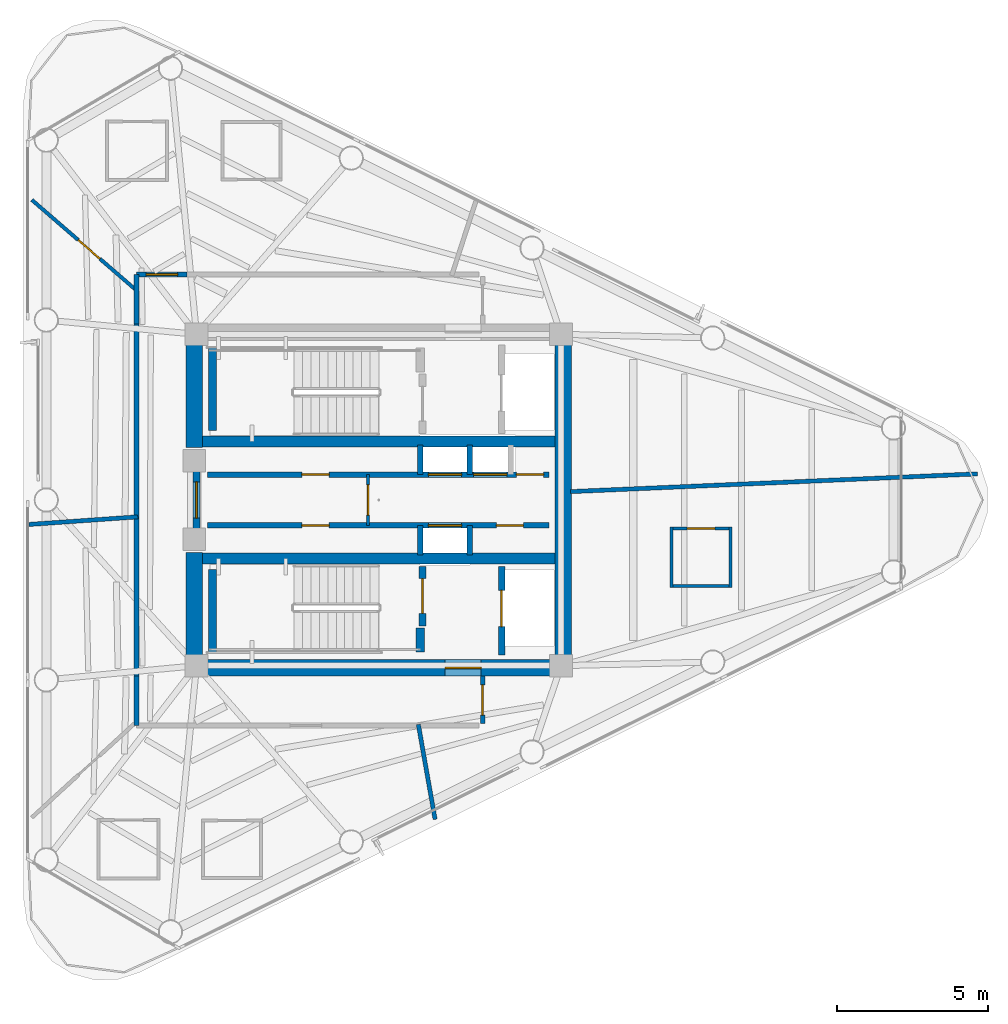
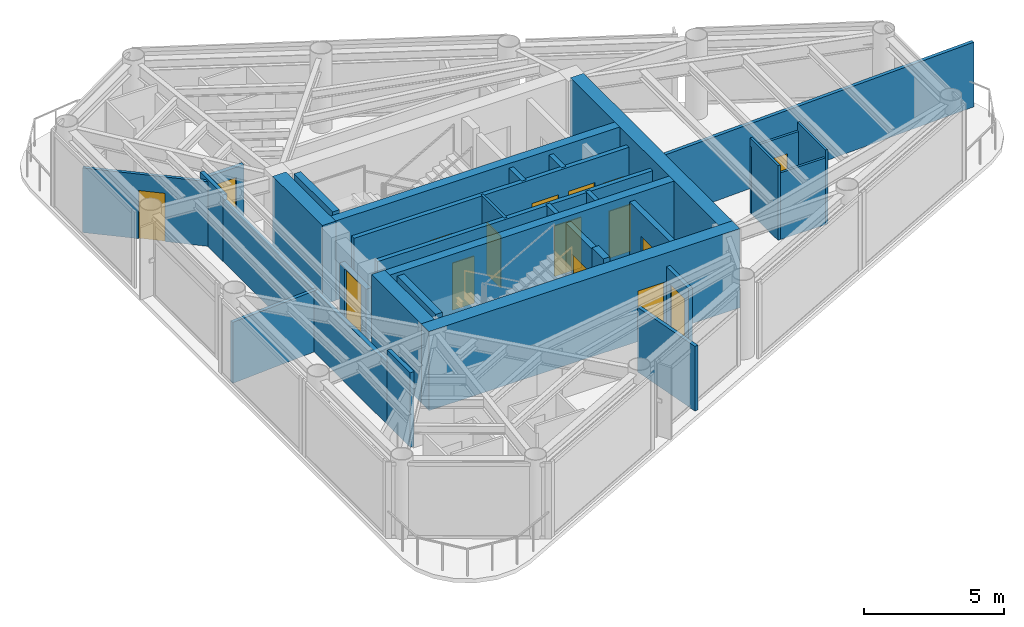
# One storey, part 5 of 10: 32 walls, 16 doors, 16 openings.
"""IFC4 building model written with IfcOpenShell, lengths in metres."""

from ifc_helpers import new_model, si_unit, direction, frame, frame_2d, origin, place, context, subcontext, project, spatial, rectangle, extrude, material, layer, layer_set, type_object, element, fill, save


model = new_model("IFC4")

# Units and contexts
model_context = context("Model", 3, precision=1e-05, world=origin(), true_north=direction((0.0, 1.0)))
body_context = subcontext(model_context, "Body", "Model", "MODEL_VIEW")
ifc_project = project(units=[si_unit("LENGTHUNIT", "METRE"), si_unit("AREAUNIT", "SQUARE_METRE"), si_unit("VOLUMEUNIT", "CUBIC_METRE"), si_unit("PLANEANGLEUNIT", "RADIAN"), si_unit("MASSUNIT", "GRAM", prefix="KILO")], contexts=[model_context])

# Site, building, storey
site_placement = place(None, origin())
site = spatial("IfcSite", under=ifc_project, at=site_placement, CompositionType="ELEMENT")
building_placement = place(site_placement, origin())
building = spatial("IfcBuilding", under=site, at=building_placement, Name="Yunling Apex Tower", CompositionType="ELEMENT")
storey_placement = place(building_placement, frame((0.0, 0.0, 303.64990234375)))
storey = spatial("IfcBuildingStorey", under=building, at=storey_placement, Name="L74", CompositionType="ELEMENT", Elevation=303.64990234375)

# Wall, opening, door
ifc_material_1 = material(Name="Concrete C40", Category="concrete")
ifc_layer_1 = layer(ifc_material_1, 0.550048828125)
ifc_layer_set_1 = layer_set([ifc_layer_1], Name="Concrete C40")
wall_type_1 = type_object("IfcWallType", Name="WL-COR-3", PredefinedType="SHEAR", material=ifc_layer_set_1)
wall_1_placement = place(storey_placement, frame((-6.39990234375, -5.574951171875, 0.0), z_axis=(0.0, 0.0, 1.0), x_axis=(1.0, 0.0, 0.0)))
wall_1 = element("IfcWall", 1, at=wall_1_placement, inside=storey, type_object=wall_type_1, Name="L74 South Core Shear Wall", PredefinedType="SHEAR", context=body_context, shape_type="SweptSolid", body=[
    extrude(rectangle(XDim=12.7998046875, YDim=0.550048828125, at=frame_2d((6.39990234375, 0.0))), origin(), (0.0, 0.0, 1.0), 3.4501953125),
])
opening_1_placement = place(wall_1_placement, frame((8.60009765625, 0.0, 0.0)))
opening_1 = element("IfcOpeningElement", 2, at=opening_1_placement, cuts=wall_1, Name="Opening DR-FFL-1", PredefinedType="OPENING", context=body_context, shape_type="SweptSolid", body=[
    extrude(rectangle(XDim=1.199951171875, YDim=2.199951171875, at=frame_2d((0.60009765625, 1.10009765625))), frame((0.0, 0.28515625, 0.0), z_axis=(0.0, -1.0, 0.0), x_axis=(1.0, 0.0, 0.0)), (0.0, 0.0, 1.0), 0.570068359375),
])
ifc_material_2 = material(Name="Steel Q355B", Category="steel")
door_type_1 = type_object("IfcDoorType", Name="DR-FFL-1", OperationType="NOTDEFINED", PredefinedType="DOOR", material=ifc_material_2)
door_1_placement = place(opening_1_placement, origin())
door_1 = element("IfcDoor", 3, at=door_1_placement, inside=storey, type_object=door_type_1, Name="L74 South Firefighting Lobby Door", OperationType="SINGLE_SWING_RIGHT", OverallHeight=2.199951171875, OverallWidth=1.199951171875, PredefinedType="DOOR", context=body_context, shape_type="SweptSolid", body=[
    extrude(rectangle(XDim=1.199951171875, YDim=2.199951171875, at=frame_2d((0.60009765625, 1.10009765625))), frame((0.0, 0.02490234375, 0.0), z_axis=(0.0, -1.0, 0.0), x_axis=(1.0, 0.0, 0.0)), (0.0, 0.0, 1.0), 0.050048828125),
])
fill(opening_1, door_1)

# Walls
wall_2_placement = place(storey_placement, frame((6.125, -5.300048828125, 0.0), z_axis=(0.0, 0.0, 1.0), x_axis=(0.0, 1.0, 0.0)))
element("IfcWall", 4, at=wall_2_placement, inside=storey, type_object=wall_type_1, Name="L74 East Core Shear Wall", PredefinedType="SHEAR", context=body_context, shape_type="SweptSolid", body=[
    extrude(rectangle(XDim=10.60009765625, YDim=0.550048828125, at=frame_2d((5.300048828125, 0.0))), origin(), (0.0, 0.0, 1.0), 3.4501953125),
])
for number, where, z_axis, x_axis, name in (
    (5, (-6.125, -5.300048828125, 0.0), (0.0, 0.0, 1.0), (0.0, 1.0, 0.0), "L74 West-South Core Shear Wall"),
    (6, (-6.125, 1.75, 0.0), (0.0, 0.0, 1.0), (0.0, 1.0, 0.0), "L74 West-North Core Shear Wall"),
):
    element("IfcWall", number, at=place(storey_placement, frame(where, z_axis=z_axis, x_axis=x_axis)), inside=storey, type_object=wall_type_1, Name=name, PredefinedType="SHEAR", context=body_context, shape_type="SweptSolid", body=[
        extrude(rectangle(XDim=3.550048828125, YDim=0.550048828125, at=frame_2d((1.77490234375, 0.0))), origin(), (0.0, 0.0, 1.0), 3.4501953125),
    ])
ifc_layer_2 = layer(ifc_material_1, 0.360107421875)
ifc_layer_set_2 = layer_set([ifc_layer_2], Name="Concrete C40")
wall_type_2 = type_object("IfcWallType", Name="WL-COR-4", PredefinedType="SHEAR", material=ifc_layer_set_2)
for number, where, z_axis, x_axis, name in (
    (7, (-5.85009765625, 1.93994140625, 0.0), (0.0, 0.0, 1.0), (1.0, 0.0, 0.0), "L74 North Internal Core Shear Wall"),
    (8, (-5.85009765625, -1.93994140625, 0.0), (0.0, 0.0, 1.0), (1.0, 0.0, 0.0), "L74 South Internal Core Shear Wall"),
):
    element("IfcWall", number, at=place(storey_placement, frame(where, z_axis=z_axis, x_axis=x_axis)), inside=storey, type_object=wall_type_2, Name=name, PredefinedType="SHEAR", context=body_context, shape_type="SweptSolid", body=[
        extrude(rectangle(XDim=11.7001953125, YDim=0.360107421875, at=frame_2d((5.85009765625, 0.0))), origin(), (0.0, 0.0, 1.0), 3.4501953125),
    ])
ifc_layer_3 = layer(ifc_material_1, 0.280029296875)
ifc_layer_set_3 = layer_set([ifc_layer_3], Name="Concrete C40")
wall_type_3 = type_object("IfcWallType", Name="WL-COR-8", PredefinedType="SHEAR", material=ifc_layer_set_3)
for number, where, z_axis, x_axis, name in (
    (9, (-5.52001953125, 2.300048828125, 0.0), (0.0, 0.0, 1.0), (0.0, 1.0, 0.0), "L74 ST-1 West Landing Bearing Wall"),
    (10, (-5.52001953125, -5.050048828125, 0.0), (0.0, 0.0, 1.0), (0.0, 1.0, 0.0), "L74 ST-2 West Landing Bearing Wall"),
):
    element("IfcWall", number, at=place(storey_placement, frame(where, z_axis=z_axis, x_axis=x_axis)), inside=storey, type_object=wall_type_3, Name=name, PredefinedType="SHEAR", context=body_context, shape_type="SweptSolid", body=[
        extrude(rectangle(XDim=2.75, YDim=0.280029296875, at=frame_2d((1.375, 0.0))), origin(), (0.0, 0.0, 1.0), 3.4501953125),
    ])
wall_3_placement = place(storey_placement, frame((1.3798828125, -5.050048828125, 0.0), z_axis=(0.0, 0.0, 1.0), x_axis=(0.0, 1.0, 0.0)))
element("IfcWall", 11, at=wall_3_placement, inside=storey, type_object=wall_type_3, Name="L74 ST-2 East Landing Bearing Pier", PredefinedType="SHEAR", context=body_context, shape_type="SweptSolid", body=[
    extrude(rectangle(XDim=0.800048828125, YDim=0.280029296875, at=frame_2d((0.39990234375, 0.0))), origin(), (0.0, 0.0, 1.0), 3.4501953125),
])
ifc_material_3 = material(Name="Gypsum board acoustic partition")
ifc_layer_4 = layer(ifc_material_3, 0.159912109375)
ifc_layer_set_4 = layer_set([ifc_layer_4], Name="Gypsum board acoustic partition")
wall_type_4 = type_object("IfcWallType", Name="WL-PRT-1", PredefinedType="PARTITIONING", material=ifc_layer_set_4)
wall_4_placement = place(storey_placement, frame((-8.0400390625, 5.85009765625, 0.0), z_axis=(0.0, 0.0, 1.0), x_axis=(0.0, 1.0, 0.0)))
element("IfcWall", 12, at=wall_4_placement, inside=storey, type_object=wall_type_4, Name="WL-CORR-L74-01", PredefinedType="PARTITIONING", context=body_context, shape_type="SweptSolid", body=[
    extrude(rectangle(XDim=1.639892578125, YDim=0.159912109375, at=frame_2d((0.81982421875, 0.0))), origin(), (0.0, 0.0, 1.0), 2.905029296875),
])

# Wall, opening, door
wall_5_placement = place(storey_placement, frame((-8.0400390625, 7.489990234375, 0.0), z_axis=(0.0, 0.0, 1.0), x_axis=(1.0, 0.0, 0.0)))
wall_5 = element("IfcWall", 13, at=wall_5_placement, inside=storey, type_object=wall_type_4, Name="WL-CORR-L74-02", PredefinedType="PARTITIONING", context=body_context, shape_type="SweptSolid", body=[
    extrude(rectangle(XDim=1.679931640625, YDim=0.159912109375, at=frame_2d((0.83984375, 0.0))), origin(), (0.0, 0.0, 1.0), 2.655029296875),
])
opening_2_placement = place(wall_5_placement, frame((0.31494140625, 0.0, 0.0)))
opening_2 = element("IfcOpeningElement", 14, at=opening_2_placement, cuts=wall_5, Name="Opening DR-FL-1", PredefinedType="OPENING", context=body_context, shape_type="SweptSolid", body=[
    extrude(rectangle(XDim=1.050048828125, YDim=2.199951171875, at=frame_2d((0.52490234375, 1.10009765625))), frame((0.0, 0.08984375, 0.0), z_axis=(0.0, -1.0, 0.0), x_axis=(1.0, 0.0, 0.0)), (0.0, 0.0, 1.0), 0.179931640625),
])
ifc_material_4 = material(Name="Timber fire-rated leaf", Category="wood")
door_type_2 = type_object("IfcDoorType", Name="DR-FL-1", OperationType="NOTDEFINED", PredefinedType="DOOR", material=ifc_material_4)
door_2_placement = place(opening_2_placement, origin())
door_2 = element("IfcDoor", 15, at=door_2_placement, inside=storey, type_object=door_type_2, Name="L74 Unit 4 Entrance Door", OperationType="SINGLE_SWING_LEFT", OverallHeight=2.199951171875, OverallWidth=1.050048828125, PredefinedType="DOOR", context=body_context, shape_type="SweptSolid", body=[
    extrude(rectangle(XDim=1.050048828125, YDim=2.199951171875, at=frame_2d((0.52490234375, 1.10009765625))), frame((0.0, 0.02490234375, 0.0), z_axis=(0.0, -1.0, 0.0), x_axis=(1.0, 0.0, 0.0)), (0.0, 0.0, 1.0), 0.050048828125),
])
fill(opening_2, door_2)

wall_6_placement = place(storey_placement, frame((3.449951171875, -5.85009765625, 0.0), z_axis=(0.0, 0.0, 1.0), x_axis=(0.0, -1.0, 0.0)))
wall_6 = element("IfcWall", 16, at=wall_6_placement, inside=storey, type_object=wall_type_4, Name="WL-CORR-L74-05", PredefinedType="PARTITIONING", context=body_context, shape_type="SweptSolid", body=[
    extrude(rectangle(XDim=1.57470703125, YDim=0.159912109375, at=frame_2d((0.787353515625, 0.0))), origin(), (0.0, 0.0, 1.0), 2.85498046875),
])
opening_3_placement = place(wall_6_placement, frame((0.287353515625, 0.0, 0.0)))
opening_3 = element("IfcOpeningElement", 17, at=opening_3_placement, cuts=wall_6, Name="Opening DR-OFF-1", PredefinedType="OPENING", context=body_context, shape_type="SweptSolid", body=[
    extrude(rectangle(XDim=1.0, YDim=2.25, at=frame_2d((0.5, 1.125))), frame((0.0, 0.08984375, 0.0), z_axis=(0.0, -1.0, 0.0), x_axis=(1.0, 0.0, 0.0)), (0.0, 0.0, 1.0), 0.179931640625),
])
ifc_material_5 = material(Name="Bronze anodised aluminium", Category="aluminium")
door_type_3 = type_object("IfcDoorType", Name="DR-OFF-1", OperationType="NOTDEFINED", PredefinedType="DOOR", material=ifc_material_5)
door_3_placement = place(opening_3_placement, origin())
door_3 = element("IfcDoor", 18, at=door_3_placement, inside=storey, type_object=door_type_3, Name="L74 Residents Music Lounge Door", OperationType="SINGLE_SWING_LEFT", OverallHeight=2.25, OverallWidth=1.0, PredefinedType="DOOR", context=body_context, shape_type="SweptSolid", body=[
    extrude(rectangle(XDim=1.0, YDim=2.25, at=frame_2d((0.5, 1.125))), frame((0.0, 0.02490234375, 0.0), z_axis=(0.0, -1.0, 0.0), x_axis=(1.0, 0.0, 0.0)), (0.0, 0.0, 1.0), 0.050048828125),
])
fill(opening_3, door_3)

# Walls
wall_7_placement = place(storey_placement, frame((-8.0400390625, -7.489990234375, 0.0), z_axis=(0.0, 0.0, 1.0), x_axis=(0.0, 1.0, 0.0)))
element("IfcWall", 19, at=wall_7_placement, inside=storey, type_object=wall_type_4, Name="WL-CORR-L74-08", PredefinedType="PARTITIONING", context=body_context, shape_type="SweptSolid", body=[
    extrude(rectangle(XDim=1.639892578125, YDim=0.159912109375, at=frame_2d((0.81982421875, 0.0))), origin(), (0.0, 0.0, 1.0), 3.25),
])
wall_8_placement = place(storey_placement, frame((-8.0400390625, -5.85009765625, 0.0), z_axis=(0.0, 0.0, 1.0), x_axis=(0.0, 1.0, 0.0)))
element("IfcWall", 20, at=wall_8_placement, inside=storey, type_object=wall_type_4, Name="WL-CORR-L74-09", PredefinedType="PARTITIONING", context=body_context, shape_type="SweptSolid", body=[
    extrude(rectangle(XDim=11.7001953125, YDim=0.159912109375, at=frame_2d((5.85009765625, 0.0))), origin(), (0.0, 0.0, 1.0), 2.655029296875),
])
ifc_layer_5 = layer(ifc_material_3, 0.139892578125)
ifc_layer_set_5 = layer_set([ifc_layer_5], Name="Gypsum board acoustic partition")
wall_type_5 = type_object("IfcWallType", Name="WL-PRT-2", PredefinedType="PARTITIONING", material=ifc_layer_set_5)
wall_9_placement = place(storey_placement, frame((6.360107421875, 0.277587890625, 0.0), z_axis=(0.0, 0.0, 1.0), x_axis=(0.999047623791, 0.043633076864, 0.0)))
element("IfcWall", 21, at=wall_9_placement, inside=storey, type_object=wall_type_5, Name="WL-RAD-L74-01", PredefinedType="PARTITIONING", context=body_context, shape_type="SweptSolid", body=[
    extrude(rectangle(XDim=13.52392578125, YDim=0.139892578125, at=frame_2d((6.761962890625, 0.0))), origin(), (0.0, 0.0, 1.0), 2.815185546875),
])
wall_10_placement = place(storey_placement, frame((-8.0, -0.559326171875, 0.0), z_axis=(0.0, 0.0, 1.0), x_axis=(-0.99756047181, -0.069807629118, 0.0)))
element("IfcWall", 22, at=wall_10_placement, inside=storey, type_object=wall_type_5, Name="WL-RAD-L74-03", PredefinedType="PARTITIONING", context=body_context, shape_type="SweptSolid", body=[
    extrude(rectangle(XDim=3.6162109375, YDim=0.139892578125, at=frame_2d((1.80810546875, 0.0))), origin(), (0.0, 0.0, 1.0), 2.655029296875),
])
wall_11_placement = place(storey_placement, frame((1.313720703125, -7.449951171875, 0.0), z_axis=(0.0, 0.0, 1.0), x_axis=(0.173619966433, -0.984812726997, 0.0)))
element("IfcWall", 23, at=wall_11_placement, inside=storey, type_object=wall_type_5, Name="WL-RAD-L74-04", PredefinedType="PARTITIONING", context=body_context, shape_type="SweptSolid", body=[
    extrude(rectangle(XDim=3.200439453125, YDim=0.139892578125, at=frame_2d((1.60009765625, 0.0))), origin(), (0.0, 0.0, 1.0), 2.815185546875),
])

# Wall, opening, door
ifc_layer_6 = layer(ifc_material_3, 0.1201171875)
ifc_layer_set_6 = layer_set([ifc_layer_6], Name="Gypsum board acoustic partition")
wall_type_6 = type_object("IfcWallType", Name="WL-PRT-3", PredefinedType="PARTITIONING", material=ifc_layer_set_6)
wall_12_placement = place(storey_placement, frame((-8.070068359375, 6.98095703125, 0.0), z_axis=(0.0, 0.0, 1.0), x_axis=(-0.756280799409, 0.654247164644, 0.0)))
wall_12 = element("IfcWall", 24, at=wall_12_placement, inside=storey, type_object=wall_type_6, Name="WL-BED-L74-4", PredefinedType="PARTITIONING", context=body_context, shape_type="SweptSolid", body=[
    extrude(rectangle(XDim=4.55810546875, YDim=0.1201171875, at=frame_2d((2.279052734375, 0.0))), origin(), (0.0, 0.0, 1.0), 2.815185546875),
])
opening_4_placement = place(wall_12_placement, frame((1.5712890625, 0.0, 0.0)))
opening_4 = element("IfcOpeningElement", 25, at=opening_4_placement, cuts=wall_12, Name="Opening DR-RM-1", PredefinedType="OPENING", context=body_context, shape_type="SweptSolid", body=[
    extrude(rectangle(XDim=0.949951171875, YDim=2.10009765625, at=frame_2d((0.47509765625, 1.050048828125))), frame((0.0, 0.070068359375, 0.0), z_axis=(0.0, -1.0, 0.0), x_axis=(1.0, 0.0, 0.0)), (0.0, 0.0, 1.0), 0.14013671875),
])
ifc_material_6 = material(Name="Timber flush leaf", Category="wood")
door_type_4 = type_object("IfcDoorType", Name="DR-RM-1", OperationType="NOTDEFINED", PredefinedType="DOOR", material=ifc_material_6)
door_4_placement = place(opening_4_placement, origin())
door_4 = element("IfcDoor", 26, at=door_4_placement, inside=storey, type_object=door_type_4, Name="L74 Unit 4 Bedroom Door", OperationType="SINGLE_SWING_RIGHT", OverallHeight=2.10009765625, OverallWidth=0.949951171875, PredefinedType="DOOR", context=body_context, shape_type="SweptSolid", body=[
    extrude(rectangle(XDim=0.949951171875, YDim=2.10009765625, at=frame_2d((0.47509765625, 1.050048828125))), frame((0.0, 0.02490234375, 0.0), z_axis=(0.0, -1.0, 0.0), x_axis=(1.0, 0.0, 0.0)), (0.0, 0.0, 1.0), 0.050048828125),
])
fill(opening_4, door_4)

ifc_layer_7 = layer(ifc_material_3, 0.10009765625)
ifc_layer_set_7 = layer_set([ifc_layer_7], Name="Gypsum board acoustic partition")
wall_type_7 = type_object("IfcWallType", Name="WL-PRT-4", PredefinedType="PARTITIONING", material=ifc_layer_set_7)
wall_13_placement = place(storey_placement, frame((-0.35009765625, -0.840087890625, 0.0), z_axis=(0.0, 0.0, 1.0), x_axis=(0.0, 1.0, 0.0)))
wall_13 = element("IfcWall", 27, at=wall_13_placement, inside=storey, type_object=wall_type_7, Name="WL-LOB-MID-L74", PredefinedType="PARTITIONING", context=body_context, shape_type="SweptSolid", body=[
    extrude(rectangle(XDim=1.68017578125, YDim=0.10009765625, at=frame_2d((0.840087890625, 0.0))), origin(), (0.0, 0.0, 1.0), 3.25),
])
opening_5_placement = place(wall_13_placement, frame((0.340087890625, 0.0, 0.0)))
opening_5 = element("IfcOpeningElement", 28, at=opening_5_placement, cuts=wall_13, Name="Opening DR-OFF-1", PredefinedType="OPENING", context=body_context, shape_type="SweptSolid", body=[
    extrude(rectangle(XDim=1.0, YDim=2.25, at=frame_2d((0.5, 1.125))), frame((0.0, 0.06005859375, 0.0), z_axis=(0.0, -1.0, 0.0), x_axis=(1.0, 0.0, 0.0)), (0.0, 0.0, 1.0), 0.1201171875),
])
door_5_placement = place(opening_5_placement, origin())
door_5 = element("IfcDoor", 29, at=door_5_placement, inside=storey, type_object=door_type_3, Name="L74 Core Lobby Link Door", OperationType="SINGLE_SWING_LEFT", OverallHeight=2.25, OverallWidth=1.0, PredefinedType="DOOR", context=body_context, shape_type="SweptSolid", body=[
    extrude(rectangle(XDim=1.0, YDim=2.25, at=frame_2d((0.5, 1.125))), frame((0.0, 0.02490234375, 0.0), z_axis=(0.0, -1.0, 0.0), x_axis=(1.0, 0.0, 0.0)), (0.0, 0.0, 1.0), 0.050048828125),
])
fill(opening_5, door_5)

wall_14_placement = place(storey_placement, frame((9.669921875, -0.951904296875, 0.0), z_axis=(0.0, 0.0, 1.0), x_axis=(1.0, 0.0, 0.0)))
wall_14 = element("IfcWall", 30, at=wall_14_placement, inside=storey, type_object=wall_type_7, Name="WL-L74-RWC2N", PredefinedType="PARTITIONING", context=body_context, shape_type="SweptSolid", body=[
    extrude(rectangle(XDim=2.050048828125, YDim=0.10009765625, at=frame_2d((1.02490234375, 0.0))), origin(), (0.0, 0.0, 1.0), 2.905029296875),
])
opening_6_placement = place(wall_14_placement, frame((0.56494140625, 0.0, 0.0)))
opening_6 = element("IfcOpeningElement", 31, at=opening_6_placement, cuts=wall_14, Name="Opening DR-WC-1", PredefinedType="OPENING", context=body_context, shape_type="SweptSolid", body=[
    extrude(rectangle(XDim=0.919921875, YDim=2.10009765625, at=frame_2d((0.4599609375, 1.050048828125))), frame((0.0, 0.06005859375, 0.0), z_axis=(0.0, -1.0, 0.0), x_axis=(1.0, 0.0, 0.0)), (0.0, 0.0, 1.0), 0.1201171875),
])
ifc_material_7 = material(Name="Timber moisture-resistant leaf", Category="wood")
door_type_5 = type_object("IfcDoorType", Name="DR-WC-1", OperationType="NOTDEFINED", PredefinedType="DOOR", material=ifc_material_7)
door_6_placement = place(opening_6_placement, origin())
door_6 = element("IfcDoor", 32, at=door_6_placement, inside=storey, type_object=door_type_5, Name="L74 Accessible WC Door", OperationType="SINGLE_SWING_LEFT", OverallHeight=2.10009765625, OverallWidth=0.919921875, PredefinedType="DOOR", context=body_context, shape_type="SweptSolid", body=[
    extrude(rectangle(XDim=0.919921875, YDim=2.10009765625, at=frame_2d((0.4599609375, 1.050048828125))), frame((0.0, 0.02490234375, 0.0), z_axis=(0.0, -1.0, 0.0), x_axis=(1.0, 0.0, 0.0)), (0.0, 0.0, 1.0), 0.050048828125),
])
fill(opening_6, door_6)

# Walls
wall_15_placement = place(storey_placement, frame((11.719970703125, -2.85205078125, 0.0), z_axis=(0.0, 0.0, 1.0), x_axis=(-1.0, 0.0, 0.0)))
element("IfcWall", 33, at=wall_15_placement, inside=storey, type_object=wall_type_7, Name="WL-L74-RWC2S", PredefinedType="PARTITIONING", context=body_context, shape_type="SweptSolid", body=[
    extrude(rectangle(XDim=2.050048828125, YDim=0.10009765625, at=frame_2d((1.02490234375, 0.0))), origin(), (0.0, 0.0, 1.0), 2.905029296875),
])
for number, where, z_axis, x_axis, name in (
    (34, (11.669921875, -0.902099609375, 0.0), (0.0, 0.0, 1.0), (0.0, -1.0, 0.0), "WL-L74-RWC2E"),
    (35, (9.719970703125, -2.902099609375, 0.0), (0.0, 0.0, 1.0), (0.0, 1.0, 0.0), "WL-L74-RWC2W"),
):
    element("IfcWall", number, at=place(storey_placement, frame(where, z_axis=z_axis, x_axis=x_axis)), inside=storey, type_object=wall_type_7, Name=name, PredefinedType="PARTITIONING", context=body_context, shape_type="SweptSolid", body=[
        extrude(rectangle(XDim=2.0, YDim=0.10009765625, at=frame_2d((1.0, 0.0))), origin(), (0.0, 0.0, 1.0), 3.25),
    ])

# Wall, opening, door
ifc_material_8 = material(Name="Autoclaved aerated concrete masonry", Category="masonry")
ifc_layer_8 = layer(ifc_material_8, 0.219970703125)
ifc_layer_set_8 = layer_set([ifc_layer_8], Name="Autoclaved aerated concrete masonry")
wall_type_8 = type_object("IfcWallType", Name="WL-SHF-1", PredefinedType="PLUMBINGWALL", material=ifc_layer_set_8)
wall_16_placement = place(storey_placement, frame((-6.050048828125, -0.949951171875, 0.0), z_axis=(0.0, 0.0, 1.0), x_axis=(0.0, 1.0, 0.0)))
wall_16 = element("IfcWall", 36, at=wall_16_placement, inside=storey, type_object=wall_type_8, Name="WL-COR-WPORT-L74", PredefinedType="PLUMBINGWALL", context=body_context, shape_type="SweptSolid", body=[
    extrude(rectangle(XDim=1.89990234375, YDim=0.219970703125, at=frame_2d((0.949951171875, 0.0))), origin(), (0.0, 0.0, 1.0), 2.22998046875),
])
opening_7_placement = place(wall_16_placement, frame((0.35009765625, 0.0, 0.0)))
opening_7 = element("IfcOpeningElement", 37, at=opening_7_placement, cuts=wall_16, Name="Opening DR-FFL-1", PredefinedType="OPENING", context=body_context, shape_type="SweptSolid", body=[
    extrude(rectangle(XDim=1.199951171875, YDim=2.199951171875, at=frame_2d((0.60009765625, 1.10009765625))), frame((0.0, 0.1201171875, 0.0), z_axis=(0.0, -1.0, 0.0), x_axis=(1.0, 0.0, 0.0)), (0.0, 0.0, 1.0), 0.239990234375),
])
door_7_placement = place(opening_7_placement, origin())
door_7 = element("IfcDoor", 38, at=door_7_placement, inside=storey, type_object=door_type_1, Name="L74 Passenger Lift Lobby Entrance Door", OperationType="SINGLE_SWING_RIGHT", OverallHeight=2.199951171875, OverallWidth=1.199951171875, PredefinedType="DOOR", context=body_context, shape_type="SweptSolid", body=[
    extrude(rectangle(XDim=1.199951171875, YDim=2.199951171875, at=frame_2d((0.60009765625, 1.10009765625))), frame((0.0, 0.02490234375, 0.0), z_axis=(0.0, -1.0, 0.0), x_axis=(1.0, 0.0, 0.0)), (0.0, 0.0, 1.0), 0.050048828125),
])
fill(opening_7, door_7)

wall_17_placement = place(storey_placement, frame((1.449951171875, -4.179931640625, 0.0), z_axis=(0.0, 0.0, 1.0), x_axis=(0.0, 1.0, 0.0)))
wall_17 = element("IfcWall", 39, at=wall_17_placement, inside=storey, type_object=wall_type_8, Name="WL-ST2-E-L74", PredefinedType="PLUMBINGWALL", context=body_context, shape_type="SweptSolid", body=[
    extrude(rectangle(XDim=1.97998046875, YDim=0.219970703125, at=frame_2d((0.989990234375, 0.0))), origin(), (0.0, 0.0, 1.0), 3.25),
])
opening_8_placement = place(wall_17_placement, frame((0.419921875, 0.0, 0.0)))
opening_8 = element("IfcOpeningElement", 40, at=opening_8_placement, cuts=wall_17, Name="Opening DR-ST-1", PredefinedType="OPENING", context=body_context, shape_type="SweptSolid", body=[
    extrude(rectangle(XDim=1.14990234375, YDim=2.14990234375, at=frame_2d((0.574951171875, 1.074951171875))), frame((0.0, 0.1201171875, 0.0), z_axis=(0.0, -1.0, 0.0), x_axis=(1.0, 0.0, 0.0)), (0.0, 0.0, 1.0), 0.239990234375),
])
door_type_6 = type_object("IfcDoorType", Name="DR-ST-1", OperationType="NOTDEFINED", PredefinedType="DOOR", material=ifc_material_2)
door_8_placement = place(opening_8_placement, origin())
door_8 = element("IfcDoor", 41, at=door_8_placement, inside=storey, type_object=door_type_6, Name="L74 Stair ST-2 Fire Door", OperationType="SINGLE_SWING_RIGHT", OverallHeight=2.14990234375, OverallWidth=1.14990234375, PredefinedType="DOOR", context=body_context, shape_type="SweptSolid", body=[
    extrude(rectangle(XDim=1.14990234375, YDim=2.14990234375, at=frame_2d((0.574951171875, 1.074951171875))), frame((0.0, 0.02490234375, 0.0), z_axis=(0.0, -1.0, 0.0), x_axis=(1.0, 0.0, 0.0)), (0.0, 0.0, 1.0), 0.050048828125),
])
fill(opening_8, door_8)

wall_18_placement = place(storey_placement, frame((4.080078125, -5.14990234375, 0.0), z_axis=(0.0, 0.0, 1.0), x_axis=(0.0, 1.0, 0.0)))
wall_18 = element("IfcWall", 42, at=wall_18_placement, inside=storey, type_object=wall_type_8, Name="WL-FFL2-W-L74", PredefinedType="PLUMBINGWALL", context=body_context, shape_type="SweptSolid", body=[
    extrude(rectangle(XDim=2.949951171875, YDim=0.219970703125, at=frame_2d((1.47509765625, 0.0))), origin(), (0.0, 0.0, 1.0), 3.25),
])
opening_9_placement = place(wall_18_placement, frame((0.949951171875, 0.0, 0.0)))
opening_9 = element("IfcOpeningElement", 43, at=opening_9_placement, cuts=wall_18, Name="Opening LD-FFL-1", PredefinedType="OPENING", context=body_context, shape_type="SweptSolid", body=[
    extrude(rectangle(XDim=1.199951171875, YDim=2.25, at=frame_2d((0.60009765625, 1.125))), frame((0.0, 0.1201171875, 0.0), z_axis=(0.0, -1.0, 0.0), x_axis=(1.0, 0.0, 0.0)), (0.0, 0.0, 1.0), 0.239990234375),
])
door_type_7 = type_object("IfcDoorType", Name="LD-FFL-1", OperationType="DOUBLE_DOOR_SLIDING", PredefinedType="DOOR", material=ifc_material_2)
door_9_placement = place(opening_9_placement, origin())
door_9 = element("IfcDoor", 44, at=door_9_placement, inside=storey, type_object=door_type_7, Name="L74 Lift FFL-2 Landing Door", OperationType="DOUBLE_DOOR_SLIDING", OverallHeight=2.25, OverallWidth=1.199951171875, PredefinedType="DOOR", context=body_context, shape_type="SweptSolid", body=[
    extrude(rectangle(XDim=1.199951171875, YDim=2.25, at=frame_2d((0.60009765625, 1.125))), frame((0.0, 0.02490234375, 0.0), z_axis=(0.0, -1.0, 0.0), x_axis=(1.0, 0.0, 0.0)), (0.0, 0.0, 1.0), 0.050048828125),
])
fill(opening_9, door_9)

# Walls
ifc_layer_9 = layer(ifc_material_8, 0.179931640625)
ifc_layer_set_9 = layer_set([ifc_layer_9], Name="Autoclaved aerated concrete masonry")
wall_type_9 = type_object("IfcWallType", Name="WL-SHF-2", PredefinedType="PLUMBINGWALL", material=ifc_layer_set_9)
for number, where, z_axis, x_axis, name in (
    (45, (1.3798828125, 0.840087890625, 0.0), (0.0, 0.0, 1.0), (0.0, 1.0, 0.0), "WL-BNK-MH-N-L74"),
    (46, (1.3798828125, -1.820068359375, 0.0), (0.0, 0.0, 1.0), (0.0, 1.0, 0.0), "WL-BNK-MH-S-L74"),
    (47, (3.02001953125, 0.840087890625, 0.0), (0.0, 0.0, 1.0), (0.0, 1.0, 0.0), "WL-DIV-H13-L74"),
    (48, (3.02001953125, -1.820068359375, 0.0), (0.0, 0.0, 1.0), (0.0, 1.0, 0.0), "WL-END-H2E-L74"),
):
    element("IfcWall", number, at=place(storey_placement, frame(where, z_axis=z_axis, x_axis=x_axis)), inside=storey, type_object=wall_type_9, Name=name, PredefinedType="PLUMBINGWALL", context=body_context, shape_type="SweptSolid", body=[
        extrude(rectangle(XDim=0.97998046875, YDim=0.179931640625, at=frame_2d((0.489990234375, 0.0))), origin(), (0.0, 0.0, 1.0), 3.25),
    ])

# Wall, openings, doors
wall_19_placement = place(storey_placement, frame((-5.679931640625, 0.840087890625, 0.0), z_axis=(0.0, 0.0, 1.0), x_axis=(1.0, 0.0, 0.0)))
wall_19 = element("IfcWall", 49, at=wall_19_placement, inside=storey, type_object=wall_type_9, Name="WL-LOB-N-L74", PredefinedType="PLUMBINGWALL", context=body_context, shape_type="SweptSolid", body=[
    extrude(rectangle(XDim=11.329833984375, YDim=0.179931640625, at=frame_2d((5.6650390625, 0.0))), origin(), (0.0, 0.0, 1.0), 3.25),
])
opening_10_placement = place(wall_19_placement, frame((3.1298828125, 0.0, 0.0)))
opening_10 = element("IfcOpeningElement", 50, at=opening_10_placement, cuts=wall_19, Name="Opening DR-SHF-1", PredefinedType="OPENING", context=body_context, shape_type="SweptSolid", body=[
    extrude(rectangle(XDim=0.89990234375, YDim=2.050048828125, at=frame_2d((0.449951171875, 1.02490234375))), frame((0.0, 0.10009765625, 0.0), z_axis=(0.0, -1.0, 0.0), x_axis=(1.0, 0.0, 0.0)), (0.0, 0.0, 1.0), 0.199951171875),
])
opening_11_placement = place(wall_19_placement, frame((7.330078125, 0.0, 0.0)))
opening_11 = element("IfcOpeningElement", 51, at=opening_11_placement, cuts=wall_19, Name="Opening LD-PAS-1", PredefinedType="OPENING", context=body_context, shape_type="SweptSolid", body=[
    extrude(rectangle(XDim=1.10009765625, YDim=2.199951171875, at=frame_2d((0.550048828125, 1.10009765625))), frame((0.0, 0.10009765625, 0.0), z_axis=(0.0, -1.0, 0.0), x_axis=(1.0, 0.0, 0.0)), (0.0, 0.0, 1.0), 0.199951171875),
])
opening_12_placement = place(wall_19_placement, frame((8.830078125, 0.0, 0.0)))
opening_12 = element("IfcOpeningElement", 52, at=opening_12_placement, cuts=wall_19, Name="Opening LD-PAS-1", PredefinedType="OPENING", context=body_context, shape_type="SweptSolid", body=[
    extrude(rectangle(XDim=1.10009765625, YDim=2.199951171875, at=frame_2d((0.550048828125, 1.10009765625))), frame((0.0, 0.10009765625, 0.0), z_axis=(0.0, -1.0, 0.0), x_axis=(1.0, 0.0, 0.0)), (0.0, 0.0, 1.0), 0.199951171875),
])
opening_13_placement = place(wall_19_placement, frame((10.25, 0.0, 0.0)))
opening_13 = element("IfcOpeningElement", 53, at=opening_13_placement, cuts=wall_19, Name="Opening DR-SHF-1", PredefinedType="OPENING", context=body_context, shape_type="SweptSolid", body=[
    extrude(rectangle(XDim=0.89990234375, YDim=2.050048828125, at=frame_2d((0.449951171875, 1.02490234375))), frame((0.0, 0.10009765625, 0.0), z_axis=(0.0, -1.0, 0.0), x_axis=(1.0, 0.0, 0.0)), (0.0, 0.0, 1.0), 0.199951171875),
])
door_type_8 = type_object("IfcDoorType", Name="DR-SHF-1", OperationType="NOTDEFINED", PredefinedType="DOOR", material=ifc_material_2)
door_10_placement = place(opening_10_placement, origin())
door_10 = element("IfcDoor", 54, at=door_10_placement, inside=storey, type_object=door_type_8, Name="L74 Data Plant Door", OperationType="SINGLE_SWING_RIGHT", OverallHeight=2.050048828125, OverallWidth=0.89990234375, PredefinedType="DOOR", context=body_context, shape_type="SweptSolid", body=[
    extrude(rectangle(XDim=0.89990234375, YDim=2.050048828125, at=frame_2d((0.449951171875, 1.02490234375))), frame((0.0, 0.02490234375, 0.0), z_axis=(0.0, -1.0, 0.0), x_axis=(1.0, 0.0, 0.0)), (0.0, 0.0, 1.0), 0.050048828125),
])
fill(opening_10, door_10)
door_11_placement = place(opening_13_placement, origin())
door_11 = element("IfcDoor", 55, at=door_11_placement, inside=storey, type_object=door_type_8, Name="L74 Core Janitor Closet Door", OperationType="SINGLE_SWING_LEFT", OverallHeight=2.050048828125, OverallWidth=0.89990234375, PredefinedType="DOOR", context=body_context, shape_type="SweptSolid", body=[
    extrude(rectangle(XDim=0.89990234375, YDim=2.050048828125, at=frame_2d((0.449951171875, 1.02490234375))), frame((0.0, 0.02490234375, 0.0), z_axis=(0.0, -1.0, 0.0), x_axis=(1.0, 0.0, 0.0)), (0.0, 0.0, 1.0), 0.050048828125),
])
fill(opening_13, door_11)
ifc_material_9 = material(Name="Silver anodised aluminium", Category="aluminium")
door_type_9 = type_object("IfcDoorType", Name="LD-PAS-1", OperationType="DOUBLE_DOOR_SLIDING", PredefinedType="DOOR", material=ifc_material_9)
door_12_placement = place(opening_11_placement, origin())
door_12 = element("IfcDoor", 56, at=door_12_placement, inside=storey, type_object=door_type_9, Name="L74 Lift PL-H1 Landing Door", OperationType="DOUBLE_DOOR_SLIDING", OverallHeight=2.199951171875, OverallWidth=1.10009765625, PredefinedType="DOOR", context=body_context, shape_type="SweptSolid", body=[
    extrude(rectangle(XDim=1.10009765625, YDim=2.199951171875, at=frame_2d((0.550048828125, 1.10009765625))), frame((0.0, 0.02490234375, 0.0), z_axis=(0.0, -1.0, 0.0), x_axis=(1.0, 0.0, 0.0)), (0.0, 0.0, 1.0), 0.050048828125),
])
fill(opening_11, door_12)
door_13_placement = place(opening_12_placement, origin())
door_13 = element("IfcDoor", 57, at=door_13_placement, inside=storey, type_object=door_type_9, Name="L74 Lift PL-H3 Landing Door", OperationType="DOUBLE_DOOR_SLIDING", OverallHeight=2.199951171875, OverallWidth=1.10009765625, PredefinedType="DOOR", context=body_context, shape_type="SweptSolid", body=[
    extrude(rectangle(XDim=1.10009765625, YDim=2.199951171875, at=frame_2d((0.550048828125, 1.10009765625))), frame((0.0, 0.02490234375, 0.0), z_axis=(0.0, -1.0, 0.0), x_axis=(1.0, 0.0, 0.0)), (0.0, 0.0, 1.0), 0.050048828125),
])
fill(opening_12, door_13)

wall_20_placement = place(storey_placement, frame((-5.679931640625, -0.840087890625, 0.0), z_axis=(0.0, 0.0, 1.0), x_axis=(1.0, 0.0, 0.0)))
wall_20 = element("IfcWall", 58, at=wall_20_placement, inside=storey, type_object=wall_type_9, Name="WL-LOB-S-L74", PredefinedType="PLUMBINGWALL", context=body_context, shape_type="SweptSolid", body=[
    extrude(rectangle(XDim=11.329833984375, YDim=0.179931640625, at=frame_2d((5.6650390625, 0.0))), origin(), (0.0, 0.0, 1.0), 3.25),
])
opening_14_placement = place(wall_20_placement, frame((3.1298828125, 0.0, 0.0)))
opening_14 = element("IfcOpeningElement", 59, at=opening_14_placement, cuts=wall_20, Name="Opening DR-SHF-1", PredefinedType="OPENING", context=body_context, shape_type="SweptSolid", body=[
    extrude(rectangle(XDim=0.89990234375, YDim=2.050048828125, at=frame_2d((0.449951171875, 1.02490234375))), frame((0.0, 0.10009765625, 0.0), z_axis=(0.0, -1.0, 0.0), x_axis=(1.0, 0.0, 0.0)), (0.0, 0.0, 1.0), 0.199951171875),
])
opening_15_placement = place(wall_20_placement, frame((7.330078125, 0.0, 0.0)))
opening_15 = element("IfcOpeningElement", 60, at=opening_15_placement, cuts=wall_20, Name="Opening LD-PAS-1", PredefinedType="OPENING", context=body_context, shape_type="SweptSolid", body=[
    extrude(rectangle(XDim=1.10009765625, YDim=2.199951171875, at=frame_2d((0.550048828125, 1.10009765625))), frame((0.0, 0.10009765625, 0.0), z_axis=(0.0, -1.0, 0.0), x_axis=(1.0, 0.0, 0.0)), (0.0, 0.0, 1.0), 0.199951171875),
])
opening_16_placement = place(wall_20_placement, frame((9.580078125, 0.0, 0.0)))
opening_16 = element("IfcOpeningElement", 61, at=opening_16_placement, cuts=wall_20, Name="Opening DR-SHF-1", PredefinedType="OPENING", context=body_context, shape_type="SweptSolid", body=[
    extrude(rectangle(XDim=0.89990234375, YDim=2.050048828125, at=frame_2d((0.449951171875, 1.02490234375))), frame((0.0, 0.10009765625, 0.0), z_axis=(0.0, -1.0, 0.0), x_axis=(1.0, 0.0, 0.0)), (0.0, 0.0, 1.0), 0.199951171875),
])
door_14_placement = place(opening_14_placement, origin())
door_14 = element("IfcDoor", 62, at=door_14_placement, inside=storey, type_object=door_type_8, Name="L74 Housekeeping Store Door", OperationType="SINGLE_SWING_RIGHT", OverallHeight=2.050048828125, OverallWidth=0.89990234375, PredefinedType="DOOR", context=body_context, shape_type="SweptSolid", body=[
    extrude(rectangle(XDim=0.89990234375, YDim=2.050048828125, at=frame_2d((0.449951171875, 1.02490234375))), frame((0.0, 0.02490234375, 0.0), z_axis=(0.0, -1.0, 0.0), x_axis=(1.0, 0.0, 0.0)), (0.0, 0.0, 1.0), 0.050048828125),
])
fill(opening_14, door_14)
door_15_placement = place(opening_16_placement, origin())
door_15 = element("IfcDoor", 63, at=door_15_placement, inside=storey, type_object=door_type_8, Name="L74 Core MEP Service Door", OperationType="SINGLE_SWING_LEFT", OverallHeight=2.050048828125, OverallWidth=0.89990234375, PredefinedType="DOOR", context=body_context, shape_type="SweptSolid", body=[
    extrude(rectangle(XDim=0.89990234375, YDim=2.050048828125, at=frame_2d((0.449951171875, 1.02490234375))), frame((0.0, 0.02490234375, 0.0), z_axis=(0.0, -1.0, 0.0), x_axis=(1.0, 0.0, 0.0)), (0.0, 0.0, 1.0), 0.050048828125),
])
fill(opening_16, door_15)
door_16_placement = place(opening_15_placement, origin())
door_16 = element("IfcDoor", 64, at=door_16_placement, inside=storey, type_object=door_type_9, Name="L74 Lift PL-H2 Landing Door", OperationType="DOUBLE_DOOR_SLIDING", OverallHeight=2.199951171875, OverallWidth=1.10009765625, PredefinedType="DOOR", context=body_context, shape_type="SweptSolid", body=[
    extrude(rectangle(XDim=1.10009765625, YDim=2.199951171875, at=frame_2d((0.550048828125, 1.10009765625))), frame((0.0, 0.02490234375, 0.0), z_axis=(0.0, -1.0, 0.0), x_axis=(1.0, 0.0, 0.0)), (0.0, 0.0, 1.0), 0.050048828125),
])
fill(opening_15, door_16)

save(model, "model.ifc")
